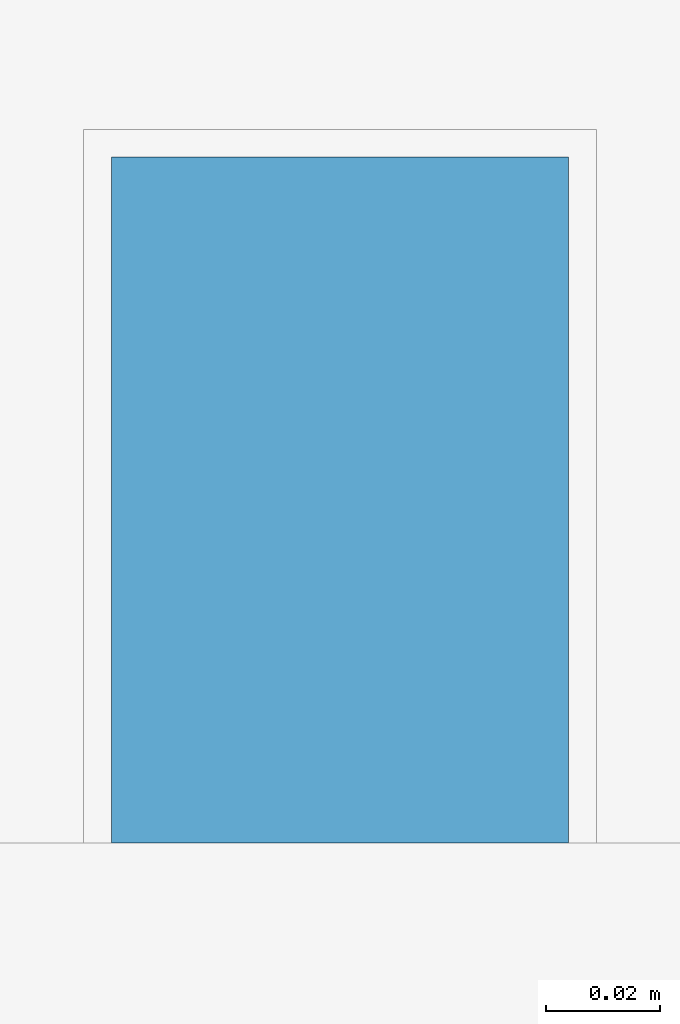
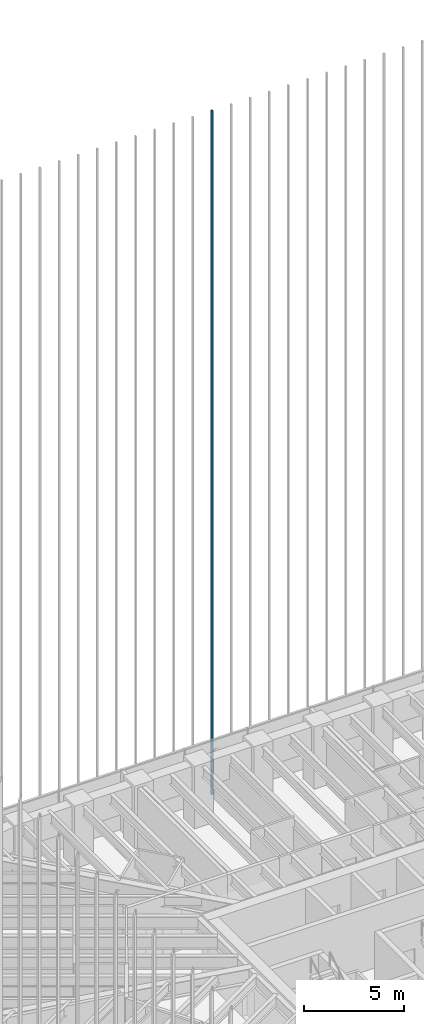
# One storey, part 86 of 127: 1 member, 1 element without a shape of its own.
"""IFC4 building model written with IfcOpenShell, lengths in metres."""

from ifc_helpers import new_model, si_unit, direction, frame, origin, origin_2d, place, context, subcontext, project, spatial, rectangle, extrude, material, material_profile, profile_set, type_object, element, aggregate, save


model = new_model("IFC4")

# Units and contexts
model_context = context("Model", 3, precision=1e-05, world=origin(), true_north=direction((0.0, 1.0)))
body_context = subcontext(model_context, "Body", "Model", "MODEL_VIEW")
ifc_project = project(units=[si_unit("LENGTHUNIT", "METRE"), si_unit("AREAUNIT", "SQUARE_METRE"), si_unit("VOLUMEUNIT", "CUBIC_METRE"), si_unit("PLANEANGLEUNIT", "RADIAN"), si_unit("MASSUNIT", "GRAM", prefix="KILO")], contexts=[model_context])

# Site, building, storey
site_placement = place(None, origin())
site = spatial("IfcSite", under=ifc_project, at=site_placement, CompositionType="ELEMENT")
building_placement = place(site_placement, origin())
building = spatial("IfcBuilding", under=site, at=building_placement, Name="Sandreach Pilgrim Tower", CompositionType="ELEMENT")
storey_placement = place(building_placement, frame((0.0, 0.0, 257.0)))
storey = spatial("IfcBuildingStorey", under=building, at=storey_placement, Name="L64", CompositionType="ELEMENT", Elevation=257.0)

# Curtain wall, member
ifc_material_1 = material(Name="Aluminium framed curtain wall", Category="aluminium")
curtain_wall_type = type_object("IfcCurtainWallType", Name="Suite tower curtain wall", PredefinedType="NOTDEFINED", material=ifc_material_1)
curtain_wall_placement = place(storey_placement, origin())
curtain_wall = element("IfcCurtainWall", 1, at=curtain_wall_placement, inside=storey, type_object=curtain_wall_type, Name="CW-4 L64 N", PredefinedType="NOTDEFINED")
ifc_material_2 = material(Name="Extruded terracotta on aluminium core", Category="masonry")
ifc_material_profile = material_profile(ifc_material_2, rectangle(XDim=0.080078125, YDim=0.1201171875, at=origin_2d()), Name="TBN 80X120")
ifc_profile_set = profile_set([ifc_material_profile], Name="Extruded terracotta on aluminium core")
member_type = type_object("IfcMemberType", Name="Terracotta baguette north", PredefinedType="USERDEFINED", material=ifc_profile_set)
member_placement = place(storey_placement, frame((0.0, 20.1865234375, 0.0), z_axis=(0.0, 0.0, 1.0), x_axis=(1.0, 0.0, 0.0)))
member = element("IfcMember", 2, at=member_placement, type_object=member_type, Name="Baguette Z4 N15", ObjectType="BAGUETTE", PredefinedType="USERDEFINED", context=body_context, shape_type="SweptSolid", body=[
    extrude(rectangle(XDim=0.080078125, YDim=0.1201171875, at=origin_2d()), origin(), (0.0, 0.0, 1.0), 41.639892578125),
])
aggregate(curtain_wall, [member])

save(model, "model.ifc")
